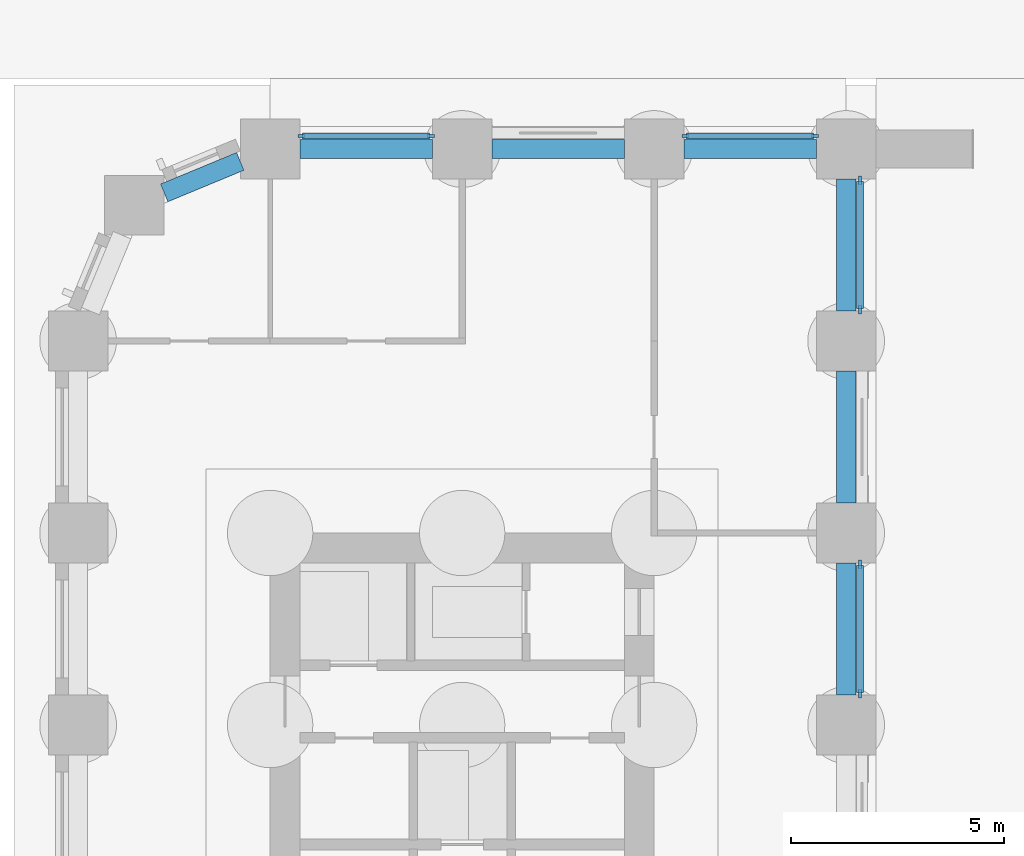
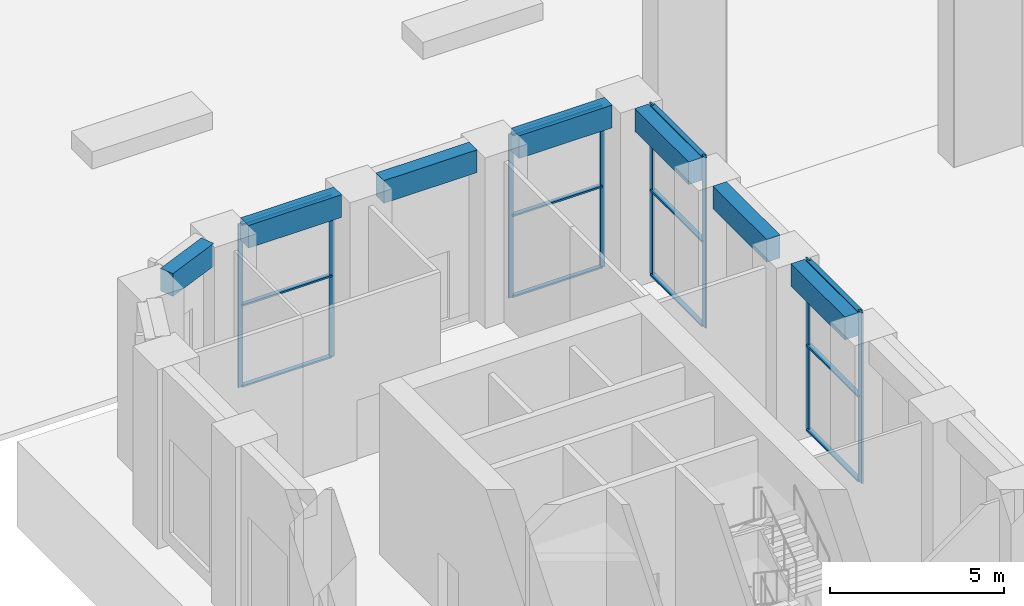
# One storey, part 6 of 31: 20 members, 7 beams, 4 elements without a shape of their own.
"""IFC4 building model written with IfcOpenShell, lengths in metres."""

import ifcopenshell
import ifcopenshell.guid

model = None  # the IFC model being written
_history = None  # IfcOwnerHistory: only IFC2X3 demands one
_inside = {}  # id of a spatial element -> (the spatial element, [elements in it])
_under = {}  # id of a project, library or spatial element -> (it, [spatial elements below it])
_declared = {}  # id of a project -> (the project, [libraries it declares])
_typed = {}  # id of a type object -> (the type object, [elements of that type])
_made_of = {}  # id of a material, layer set ... -> (it, [elements and type objects made of it])


def new_model(schema):
    """Start an empty IFC model of exactly this schema.

    Asked for "IFC4X3", IfcOpenShell would pick the latest addendum, in which some entities
    have other attributes; the version numbers below select the first issue.
    IFC2X3 requires an IfcOwnerHistory on every rooted entity: one is made here for all.
    """
    global model, _history
    if schema == "IFC4X3":
        model = ifcopenshell.file(schema_version=(4, 3, 0, 0))
    else:
        model = ifcopenshell.file(schema=schema)
    _inside.clear()
    _under.clear()
    _declared.clear()
    _typed.clear()
    _made_of.clear()
    _history = None
    if model.schema == "IFC2X3":
        org = make("IfcOrganization", Name="unknown")
        user = make(
            "IfcPersonAndOrganization",
            ThePerson=make("IfcPerson", FamilyName="unknown"),
            TheOrganization=org,
        )
        app = make(
            "IfcApplication",
            ApplicationDeveloper=org,
            Version="unknown",
            ApplicationFullName="unknown",
            ApplicationIdentifier="unknown",
        )
        _history = make(
            "IfcOwnerHistory",
            OwningUser=user,
            OwningApplication=app,
            ChangeAction="ADDED",
            CreationDate=0,
        )
    return model


def make(cls, **values):
    """One entity of the class cls with the attributes given. An attribute that is None is left unset."""
    return model.create_entity(
        cls, **{name: value for name, value in values.items() if value is not None}
    )


def rooted(cls, **values):
    """An entity with a GlobalId (a new one), such as an element, a storey or a relation."""
    return make(cls, GlobalId=ifcopenshell.guid.new(), OwnerHistory=_history, **values)


def si_unit(unit_type, name, prefix=None):
    """IfcSIUnit, for example si_unit("LENGTHUNIT", "METRE", prefix="MILLI")."""
    return make("IfcSIUnit", UnitType=unit_type, Prefix=prefix, Name=name)


def assignment(units):
    """IfcUnitAssignment: the units of a project."""
    return None if units is None else make("IfcUnitAssignment", Units=units)


def point(xyz):
    """IfcCartesianPoint."""
    return None if xyz is None else make("IfcCartesianPoint", Coordinates=xyz)


def direction(xyz):
    """IfcDirection."""
    return None if xyz is None else make("IfcDirection", DirectionRatios=xyz)


def frame(location, z_axis=None, x_axis=None):
    """IfcAxis2Placement3D, a coordinate frame: its origin and axes. An axis left out is left unset."""
    return make(
        "IfcAxis2Placement3D",
        Location=point(location),
        Axis=direction(z_axis),
        RefDirection=direction(x_axis),
    )


def frame_2d(location, x_axis=None):
    """IfcAxis2Placement2D, a coordinate frame in the plane: its origin and x axis."""
    return make(
        "IfcAxis2Placement2D", Location=point(location), RefDirection=direction(x_axis)
    )


def origin():
    """The frame at (0, 0, 0) with its axes left unset."""
    return frame((0.0, 0.0, 0.0))


def origin_2d():
    """The frame at (0, 0) in the plane with its x axis left unset."""
    return frame_2d((0.0, 0.0))


def place(relative_to, where):
    """IfcLocalPlacement: puts the frame where relative to a parent placement (None: the world)."""
    return make(
        "IfcLocalPlacement", PlacementRelTo=relative_to, RelativePlacement=where
    )


def context(
    kind, dimensions, precision=None, world=None, true_north=None, identifier=None
):
    """IfcGeometricRepresentationContext, for example the 3D "Model" context."""
    return make(
        "IfcGeometricRepresentationContext",
        ContextIdentifier=identifier,
        ContextType=kind,
        CoordinateSpaceDimension=dimensions,
        Precision=precision,
        WorldCoordinateSystem=world,
        TrueNorth=true_north,
    )


def subcontext(parent, identifier, kind, view, scale=None):
    """IfcGeometricRepresentationSubContext, for example "Body" below "Model"."""
    return make(
        "IfcGeometricRepresentationSubContext",
        ContextIdentifier=identifier,
        ContextType=kind,
        ParentContext=parent,
        TargetScale=scale,
        TargetView=view,
    )


def project(units=None, contexts=None):
    """IfcProject with its units and contexts."""
    return rooted(
        "IfcProject",
        Name="project",
        RepresentationContexts=contexts,
        UnitsInContext=assignment(units),
    )


def spatial(cls, under=None, at=None, **own):
    """A site, building, storey or space (cls), placed at a placement, below another one or the project."""
    s = rooted(cls, ObjectPlacement=at, **own)
    if under is not None:
        _under.setdefault(under.id(), (under, []))[1].append(s)
    return s


def profile(cls, at=None, kind="AREA", **sizes):
    """A parametric profile (cls). Its sizes go by their IFC names, for example OverallWidth=200.0."""
    return make(cls, ProfileType=kind, Position=at, **sizes)


def rectangle(**sizes):
    """IfcRectangleProfileDef."""
    return profile("IfcRectangleProfileDef", **sizes)


def extrude(swept, where, along, depth):
    """IfcExtrudedAreaSolid: the profile swept, set in the frame where, extruded along a direction by depth."""
    return make(
        "IfcExtrudedAreaSolid",
        SweptArea=swept,
        Position=where,
        ExtrudedDirection=direction(along),
        Depth=depth,
    )


def shape(context_of_items, identifier, shape_type, items):
    """IfcShapeRepresentation: the items that make up one representation, for example the "Body"."""
    return make(
        "IfcShapeRepresentation",
        ContextOfItems=context_of_items,
        RepresentationIdentifier=identifier,
        RepresentationType=shape_type,
        Items=items,
    )


def material(Name=None, Category=None):
    """IfcMaterial."""
    return make("IfcMaterial", Name=Name, Category=Category)


def material_profile(
    of_material, cross_section, Name=None, Category=None, Priority=None
):
    """IfcMaterialProfile: a cross section and its material."""
    return make(
        "IfcMaterialProfile",
        Name=Name,
        Material=of_material,
        Profile=cross_section,
        Priority=Priority,
        Category=Category,
    )


def profile_set(profiles, Name=None, composite=None):
    """IfcMaterialProfileSet."""
    return make(
        "IfcMaterialProfileSet",
        Name=Name,
        MaterialProfiles=profiles,
        CompositeProfile=composite,
    )


def made_of(thing, what):
    """Note that an element or type object is made of a material, layer set ...; save() writes the relation."""
    if what is not None:
        _made_of.setdefault(what.id(), (what, []))[1].append(thing)
    return thing


def type_object(cls, material=None, **own):
    """A type object (cls), such as IfcWallType, which elements share."""
    return made_of(rooted(cls, **own), material)


def element(
    cls,
    number,
    at=None,
    inside=None,
    cuts=None,
    type_object=None,
    material=None,
    context=None,
    identifier="Body",
    shape_type=None,
    held_by="IfcProductDefinitionShape",
    body=None,
    shapes=None,
    **own,
):
    """One element of the class cls, such as IfcWall. Its Tag is "e" and its number.

    at: its placement. inside: the storey or other place that contains it. cuts: it is an
    opening in that element (IfcRelVoidsElement). A single representation is given by context,
    identifier, shape_type and body (its items); several are given by shapes. held_by: the class
    of the entity that holds the representations. save() writes the other relations.
    """
    e = rooted(cls, Tag="e%d" % number, ObjectPlacement=at, **own)
    if body is not None:
        shapes = [shape(context, identifier, shape_type, body)]
    if shapes is not None:
        e.Representation = make(held_by, Representations=shapes)
    if inside is not None:
        _inside.setdefault(inside.id(), (inside, []))[1].append(e)
    if cuts is not None:
        rooted(
            "IfcRelVoidsElement", RelatingBuildingElement=cuts, RelatedOpeningElement=e
        )
    if type_object is not None:
        _typed.setdefault(type_object.id(), (type_object, []))[1].append(e)
    return made_of(e, material)


def aggregate(whole, parts):
    """IfcRelAggregates: a whole, such as a stair, and the parts it consists of."""
    return rooted("IfcRelAggregates", RelatingObject=whole, RelatedObjects=parts)


def save(model, path):
    """Write the relations noted so far, then the file.

    IfcRelAggregates (storeys below a building ...), IfcRelContainedInSpatialStructure (elements
    in a storey), IfcRelDefinesByType, IfcRelAssociatesMaterial and IfcRelDeclares: one each for
    every whole, place, type object, material and project.
    """
    for whole, parts in _under.values():
        aggregate(whole, parts)
    for where, things in _inside.values():
        rooted(
            "IfcRelContainedInSpatialStructure",
            RelatedElements=things,
            RelatingStructure=where,
        )
    for kind, things in _typed.values():
        rooted("IfcRelDefinesByType", RelatedObjects=things, RelatingType=kind)
    for what, things in _made_of.values():
        rooted("IfcRelAssociatesMaterial", RelatedObjects=things, RelatingMaterial=what)
    for by, libraries in _declared.values():
        rooted("IfcRelDeclares", RelatingContext=by, RelatedDefinitions=libraries)
    model.write(path)


model = new_model("IFC4")

# Units and contexts
model_context = context("Model", 3, precision=1e-05, world=origin(), true_north=direction((0.0, 1.0)))
body_context = subcontext(model_context, "Body", "Model", "MODEL_VIEW")
ifc_project = project(units=[si_unit("LENGTHUNIT", "METRE"), si_unit("AREAUNIT", "SQUARE_METRE"), si_unit("VOLUMEUNIT", "CUBIC_METRE"), si_unit("PLANEANGLEUNIT", "RADIAN"), si_unit("MASSUNIT", "GRAM", prefix="KILO")], contexts=[model_context])

# Site, building, storey
site_placement = place(None, origin())
site = spatial("IfcSite", under=ifc_project, at=site_placement, CompositionType="ELEMENT")
building_placement = place(site_placement, origin())
building = spatial("IfcBuilding", under=site, at=building_placement, Name="Girih Gate Residences", CompositionType="ELEMENT")
storey_placement = place(building_placement, origin())
storey = spatial("IfcBuildingStorey", under=building, at=storey_placement, Name="L00", CompositionType="ELEMENT", Elevation=0.0)

# Curtain wall, members
ifc_material_1 = material(Name="Aluminium curtain wall frame", Category="aluminium")
curtain_wall_type_1 = type_object("IfcCurtainWallType", Name="Curtain wall CW-6 street frontage glazing", PredefinedType="NOTDEFINED", material=ifc_material_1)
curtain_wall_1_placement = place(storey_placement, origin())
curtain_wall_1 = element("IfcCurtainWall", 1, at=curtain_wall_1_placement, inside=storey, type_object=curtain_wall_type_1, Name="CW-6 Street frontage glazing N0180_0495.0", PredefinedType="NOTDEFINED")
ifc_material_profile_1 = material_profile(ifc_material_1, rectangle(XDim=0.06005859375, YDim=0.159912109375, at=origin_2d()))
ifc_profile_set_1 = profile_set([ifc_material_profile_1], Name="Aluminium curtain wall frame")
member_type_1 = type_object("IfcMemberType", Name="Curtain wall mullion 60x160", PredefinedType="MULLION", material=ifc_profile_set_1)
member_1_placement = place(storey_placement, frame((17.27001953125, 49.804931640625, 0.0), z_axis=(0.0, 0.0, 1.0), x_axis=(0.0, -1.0, 0.0)))
member_1 = element("IfcMember", 2, at=member_1_placement, type_object=member_type_1, Name="CW-6 mullion 1", PredefinedType="MULLION", context=body_context, shape_type="SweptSolid", body=[
    extrude(rectangle(XDim=0.06005859375, YDim=0.159912109375, at=origin_2d()), origin(), (0.0, 0.0, 1.0), 5.75),
])
member_2_placement = place(storey_placement, frame((14.22998046875, 49.804931640625, 0.0), z_axis=(0.0, 0.0, 1.0), x_axis=(0.0, -1.0, 0.0)))
member_2 = element("IfcMember", 3, at=member_2_placement, type_object=member_type_1, Name="CW-6 mullion 2", PredefinedType="MULLION", context=body_context, shape_type="SweptSolid", body=[
    extrude(rectangle(XDim=0.06005859375, YDim=0.159912109375, at=origin_2d()), origin(), (0.0, 0.0, 1.0), 5.75),
])

curtain_wall_2_placement = place(storey_placement, origin())
curtain_wall_2 = element("IfcCurtainWall", 4, at=curtain_wall_2_placement, inside=storey, type_object=curtain_wall_type_1, Name="CW-6 Street frontage glazing N0180_0495.2", PredefinedType="NOTDEFINED")
member_3_placement = place(storey_placement, frame((8.27001953125, 49.804931640625, 0.0), z_axis=(0.0, 0.0, 1.0), x_axis=(0.0, -1.0, 0.0)))
member_3 = element("IfcMember", 5, at=member_3_placement, type_object=member_type_1, Name="CW-6 mullion 1", PredefinedType="MULLION", context=body_context, shape_type="SweptSolid", body=[
    extrude(rectangle(XDim=0.06005859375, YDim=0.159912109375, at=origin_2d()), origin(), (0.0, 0.0, 1.0), 5.75),
])
member_4_placement = place(storey_placement, frame((5.22998046875, 49.804931640625, 0.0), z_axis=(0.0, 0.0, 1.0), x_axis=(0.0, -1.0, 0.0)))
member_4 = element("IfcMember", 6, at=member_4_placement, type_object=member_type_1, Name="CW-6 mullion 2", PredefinedType="MULLION", context=body_context, shape_type="SweptSolid", body=[
    extrude(rectangle(XDim=0.06005859375, YDim=0.159912109375, at=origin_2d()), origin(), (0.0, 0.0, 1.0), 5.75),
])

curtain_wall_type_2 = type_object("IfcCurtainWallType", Name="Curtain wall CW-1 arcade glazing", PredefinedType="NOTDEFINED", material=ifc_material_1)
curtain_wall_3_placement = place(storey_placement, origin())
curtain_wall_3 = element("IfcCurtainWall", 7, at=curtain_wall_3_placement, inside=storey, type_object=curtain_wall_type_2, Name="CW-1 Arcade glazing E0180_0000.8", PredefinedType="NOTDEFINED")
ifc_material_profile_2 = material_profile(ifc_material_1, rectangle(XDim=0.06005859375, YDim=0.199951171875, at=origin_2d()))
ifc_profile_set_2 = profile_set([ifc_material_profile_2], Name="Aluminium curtain wall frame")
member_type_2 = type_object("IfcMemberType", Name="Curtain wall mullion 60x200", PredefinedType="MULLION", material=ifc_profile_set_2)
member_5_placement = place(storey_placement, frame((18.324951171875, 36.72998046875, 0.0), z_axis=(0.0, 0.0, 1.0), x_axis=(-1.0, 0.0, 0.0)))
member_5 = element("IfcMember", 8, at=member_5_placement, type_object=member_type_2, Name="CW-1 mullion 1", PredefinedType="MULLION", context=body_context, shape_type="SweptSolid", body=[
    extrude(rectangle(XDim=0.06005859375, YDim=0.199951171875, at=origin_2d()), origin(), (0.0, 0.0, 1.0), 6.0),
])
member_6_placement = place(storey_placement, frame((18.324951171875, 39.77001953125, 0.0), z_axis=(0.0, 0.0, 1.0), x_axis=(-1.0, 0.0, 0.0)))
member_6 = element("IfcMember", 9, at=member_6_placement, type_object=member_type_2, Name="CW-1 mullion 2", PredefinedType="MULLION", context=body_context, shape_type="SweptSolid", body=[
    extrude(rectangle(XDim=0.06005859375, YDim=0.199951171875, at=origin_2d()), origin(), (0.0, 0.0, 1.0), 6.0),
])

curtain_wall_4_placement = place(storey_placement, origin())
curtain_wall_4 = element("IfcCurtainWall", 10, at=curtain_wall_4_placement, inside=storey, type_object=curtain_wall_type_2, Name="CW-1 Arcade glazing E0180_0000.10", PredefinedType="NOTDEFINED")
member_7_placement = place(storey_placement, frame((18.324951171875, 45.72998046875, 0.0), z_axis=(0.0, 0.0, 1.0), x_axis=(-1.0, 0.0, 0.0)))
member_7 = element("IfcMember", 11, at=member_7_placement, type_object=member_type_2, Name="CW-1 mullion 1", PredefinedType="MULLION", context=body_context, shape_type="SweptSolid", body=[
    extrude(rectangle(XDim=0.06005859375, YDim=0.199951171875, at=origin_2d()), origin(), (0.0, 0.0, 1.0), 6.0),
])
member_8_placement = place(storey_placement, frame((18.324951171875, 48.77001953125, 0.0), z_axis=(0.0, 0.0, 1.0), x_axis=(-1.0, 0.0, 0.0)))
member_8 = element("IfcMember", 12, at=member_8_placement, type_object=member_type_2, Name="CW-1 mullion 2", PredefinedType="MULLION", context=body_context, shape_type="SweptSolid", body=[
    extrude(rectangle(XDim=0.06005859375, YDim=0.199951171875, at=origin_2d()), origin(), (0.0, 0.0, 1.0), 6.0),
])

# Member
ifc_material_profile_3 = material_profile(ifc_material_1, rectangle(XDim=0.139892578125, YDim=0.06005859375, at=origin_2d()))
ifc_profile_set_3 = profile_set([ifc_material_profile_3], Name="Aluminium curtain wall frame")
member_type_3 = type_object("IfcMemberType", Name="Curtain wall transom 60x140", PredefinedType="USERDEFINED", material=ifc_profile_set_3)
member_9_placement = place(storey_placement, frame((17.239990234375, 49.804931640625, 0.030029296875), z_axis=(-1.0, 0.0, 0.0), x_axis=(0.0, -1.0, 0.0)))
member_9 = element("IfcMember", 13, at=member_9_placement, type_object=member_type_3, Name="CW-6 transom 1.1", ObjectType="TRANSOM", PredefinedType="USERDEFINED", context=body_context, shape_type="SweptSolid", body=[
    extrude(rectangle(XDim=0.139892578125, YDim=0.06005859375, at=origin_2d()), origin(), (0.0, 0.0, 1.0), 2.97998046875),
])

member_10_placement = place(storey_placement, frame((17.239990234375, 49.804931640625, 2.875), z_axis=(-1.0, 0.0, 0.0), x_axis=(0.0, -1.0, 0.0)))
member_10 = element("IfcMember", 14, at=member_10_placement, type_object=member_type_3, Name="CW-6 transom 1.2", ObjectType="TRANSOM", PredefinedType="USERDEFINED", context=body_context, shape_type="SweptSolid", body=[
    extrude(rectangle(XDim=0.139892578125, YDim=0.06005859375, at=origin_2d()), origin(), (0.0, 0.0, 1.0), 2.97998046875),
])

member_11_placement = place(storey_placement, frame((17.239990234375, 49.804931640625, 5.719970703125), z_axis=(-1.0, 0.0, 0.0), x_axis=(0.0, -1.0, 0.0)))
member_11 = element("IfcMember", 15, at=member_11_placement, type_object=member_type_3, Name="CW-6 transom 1.3", ObjectType="TRANSOM", PredefinedType="USERDEFINED", context=body_context, shape_type="SweptSolid", body=[
    extrude(rectangle(XDim=0.139892578125, YDim=0.06005859375, at=origin_2d()), origin(), (0.0, 0.0, 1.0), 2.97998046875),
])

aggregate(curtain_wall_1, [member_1, member_2, member_9, member_10, member_11])

member_12_placement = place(storey_placement, frame((8.239990234375, 49.804931640625, 0.030029296875), z_axis=(-1.0, 0.0, 0.0), x_axis=(0.0, -1.0, 0.0)))
member_12 = element("IfcMember", 16, at=member_12_placement, type_object=member_type_3, Name="CW-6 transom 1.1", ObjectType="TRANSOM", PredefinedType="USERDEFINED", context=body_context, shape_type="SweptSolid", body=[
    extrude(rectangle(XDim=0.139892578125, YDim=0.06005859375, at=origin_2d()), origin(), (0.0, 0.0, 1.0), 2.97998046875),
])

member_13_placement = place(storey_placement, frame((8.239990234375, 49.804931640625, 2.875), z_axis=(-1.0, 0.0, 0.0), x_axis=(0.0, -1.0, 0.0)))
member_13 = element("IfcMember", 17, at=member_13_placement, type_object=member_type_3, Name="CW-6 transom 1.2", ObjectType="TRANSOM", PredefinedType="USERDEFINED", context=body_context, shape_type="SweptSolid", body=[
    extrude(rectangle(XDim=0.139892578125, YDim=0.06005859375, at=origin_2d()), origin(), (0.0, 0.0, 1.0), 2.97998046875),
])

member_14_placement = place(storey_placement, frame((8.239990234375, 49.804931640625, 5.719970703125), z_axis=(-1.0, 0.0, 0.0), x_axis=(0.0, -1.0, 0.0)))
member_14 = element("IfcMember", 18, at=member_14_placement, type_object=member_type_3, Name="CW-6 transom 1.3", ObjectType="TRANSOM", PredefinedType="USERDEFINED", context=body_context, shape_type="SweptSolid", body=[
    extrude(rectangle(XDim=0.139892578125, YDim=0.06005859375, at=origin_2d()), origin(), (0.0, 0.0, 1.0), 2.97998046875),
])

aggregate(curtain_wall_2, [member_3, member_4, member_12, member_13, member_14])

ifc_material_profile_4 = material_profile(ifc_material_1, rectangle(XDim=0.159912109375, YDim=0.06005859375, at=origin_2d()))
ifc_profile_set_4 = profile_set([ifc_material_profile_4], Name="Aluminium curtain wall frame")
member_type_4 = type_object("IfcMemberType", Name="Curtain wall transom 60x160", PredefinedType="USERDEFINED", material=ifc_profile_set_4)
member_15_placement = place(storey_placement, frame((18.324951171875, 36.760009765625, 0.030029296875), z_axis=(0.0, 1.0, 0.0), x_axis=(-1.0, 0.0, 0.0)))
member_15 = element("IfcMember", 19, at=member_15_placement, type_object=member_type_4, Name="CW-1 transom 1.1", ObjectType="TRANSOM", PredefinedType="USERDEFINED", context=body_context, shape_type="SweptSolid", body=[
    extrude(rectangle(XDim=0.159912109375, YDim=0.06005859375, at=origin_2d()), origin(), (0.0, 0.0, 1.0), 2.97998046875),
])

member_16_placement = place(storey_placement, frame((18.324951171875, 36.760009765625, 3.0), z_axis=(0.0, 1.0, 0.0), x_axis=(-1.0, 0.0, 0.0)))
member_16 = element("IfcMember", 20, at=member_16_placement, type_object=member_type_4, Name="CW-1 transom 1.2", ObjectType="TRANSOM", PredefinedType="USERDEFINED", context=body_context, shape_type="SweptSolid", body=[
    extrude(rectangle(XDim=0.159912109375, YDim=0.06005859375, at=origin_2d()), origin(), (0.0, 0.0, 1.0), 2.97998046875),
])

member_17_placement = place(storey_placement, frame((18.324951171875, 36.760009765625, 5.969970703125), z_axis=(0.0, 1.0, 0.0), x_axis=(-1.0, 0.0, 0.0)))
member_17 = element("IfcMember", 21, at=member_17_placement, type_object=member_type_4, Name="CW-1 transom 1.3", ObjectType="TRANSOM", PredefinedType="USERDEFINED", context=body_context, shape_type="SweptSolid", body=[
    extrude(rectangle(XDim=0.159912109375, YDim=0.06005859375, at=origin_2d()), origin(), (0.0, 0.0, 1.0), 2.97998046875),
])

aggregate(curtain_wall_3, [member_5, member_6, member_15, member_16, member_17])

member_18_placement = place(storey_placement, frame((18.324951171875, 45.760009765625, 0.030029296875), z_axis=(0.0, 1.0, 0.0), x_axis=(-1.0, 0.0, 0.0)))
member_18 = element("IfcMember", 22, at=member_18_placement, type_object=member_type_4, Name="CW-1 transom 1.1", ObjectType="TRANSOM", PredefinedType="USERDEFINED", context=body_context, shape_type="SweptSolid", body=[
    extrude(rectangle(XDim=0.159912109375, YDim=0.06005859375, at=origin_2d()), origin(), (0.0, 0.0, 1.0), 2.97998046875),
])

member_19_placement = place(storey_placement, frame((18.324951171875, 45.760009765625, 3.0), z_axis=(0.0, 1.0, 0.0), x_axis=(-1.0, 0.0, 0.0)))
member_19 = element("IfcMember", 23, at=member_19_placement, type_object=member_type_4, Name="CW-1 transom 1.2", ObjectType="TRANSOM", PredefinedType="USERDEFINED", context=body_context, shape_type="SweptSolid", body=[
    extrude(rectangle(XDim=0.159912109375, YDim=0.06005859375, at=origin_2d()), origin(), (0.0, 0.0, 1.0), 2.97998046875),
])

member_20_placement = place(storey_placement, frame((18.324951171875, 45.760009765625, 5.969970703125), z_axis=(0.0, 1.0, 0.0), x_axis=(-1.0, 0.0, 0.0)))
member_20 = element("IfcMember", 24, at=member_20_placement, type_object=member_type_4, Name="CW-1 transom 1.3", ObjectType="TRANSOM", PredefinedType="USERDEFINED", context=body_context, shape_type="SweptSolid", body=[
    extrude(rectangle(XDim=0.159912109375, YDim=0.06005859375, at=origin_2d()), origin(), (0.0, 0.0, 1.0), 2.97998046875),
])

aggregate(curtain_wall_4, [member_7, member_8, member_18, member_19, member_20])

# Beams
ifc_material_2 = material(Name="Concrete C60/75", Category="concrete")
ifc_material_profile_5 = material_profile(ifc_material_2, rectangle(XDim=0.449951171875, YDim=0.800048828125, at=origin_2d()))
ifc_profile_set_5 = profile_set([ifc_material_profile_5], Name="Concrete C60/75")
beam_type = type_object("IfcBeamType", Name="Spandrel girder RC 450x800 Concrete C60/75", PredefinedType="BEAM", material=ifc_profile_set_5)
for number, where, z_axis, x_axis, name in (
    (25, (17.300048828125, 49.5, 5.60009765625), (-1.0, 0.0, 0.0), (0.0, -1.0, 0.0), "Spandrel girder SP-P5L-P4L L00"),
    (26, (12.800048828125, 49.5, 5.60009765625), (-1.0, 0.0, 0.0), (0.0, -1.0, 0.0), "Spandrel girder SP-P4L-P3L L00"),
    (27, (8.300048828125, 49.5, 5.60009765625), (-1.0, 0.0, 0.0), (0.0, -1.0, 0.0), "Spandrel girder SP-P3L-P2L L00"),
):
    element("IfcBeam", number, at=place(storey_placement, frame(where, z_axis=z_axis, x_axis=x_axis)), inside=storey, type_object=beam_type, Name=name, PredefinedType="BEAM", context=body_context, shape_type="SweptSolid", body=[
        extrude(rectangle(XDim=0.449951171875, YDim=0.800048828125, at=origin_2d()), origin(), (0.0, 0.0, 1.0), 3.10009765625),
    ])
beam_placement = place(storey_placement, frame((3.800048828125, 49.2099609375, 5.60009765625), z_axis=(-0.923894961945, -0.382646180293, 0.0), x_axis=(0.382646180293, -0.923894961945, 0.0)))
element("IfcBeam", 28, at=beam_placement, inside=storey, type_object=beam_type, Name="Spandrel girder SP-P2L-P1LSE L00", PredefinedType="BEAM", context=body_context, shape_type="SweptSolid", body=[
    extrude(rectangle(XDim=0.449951171875, YDim=0.800048828125, at=origin_2d()), origin(), (0.0, 0.0, 1.0), 1.9287109375),
])
for number, where, z_axis, x_axis, name in (
    (29, (18.0, 36.699951171875, 5.60009765625), (0.0, 1.0, 0.0), (-1.0, 0.0, 0.0), "Spandrel girder SP-P5I-P5J L00"),
    (30, (18.0, 41.199951171875, 5.60009765625), (0.0, 1.0, 0.0), (-1.0, 0.0, 0.0), "Spandrel girder SP-P5J-P5K L00"),
    (31, (18.0, 45.699951171875, 5.60009765625), (0.0, 1.0, 0.0), (-1.0, 0.0, 0.0), "Spandrel girder SP-P5K-P5L L00"),
):
    element("IfcBeam", number, at=place(storey_placement, frame(where, z_axis=z_axis, x_axis=x_axis)), inside=storey, type_object=beam_type, Name=name, PredefinedType="BEAM", context=body_context, shape_type="SweptSolid", body=[
        extrude(rectangle(XDim=0.449951171875, YDim=0.800048828125, at=origin_2d()), origin(), (0.0, 0.0, 1.0), 3.10009765625),
    ])

save(model, "model.ifc")
